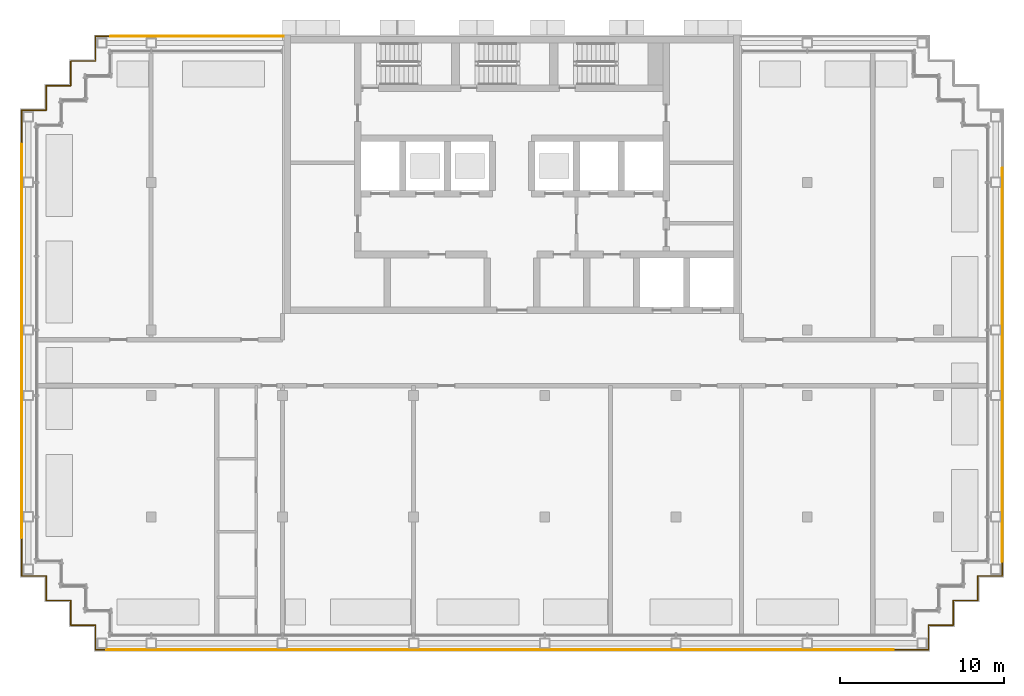
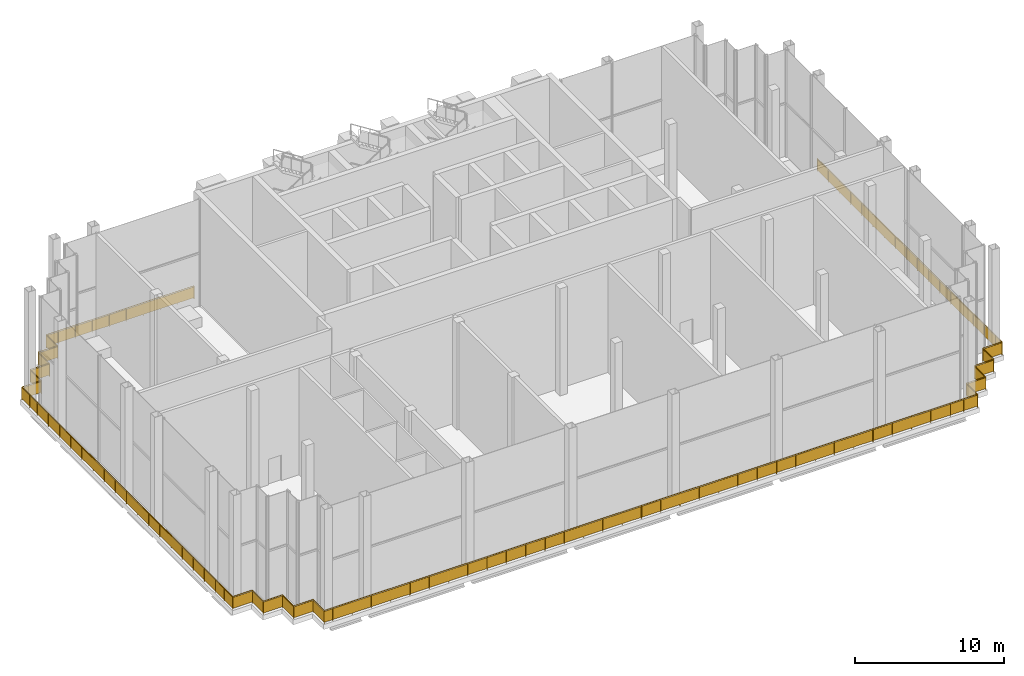
# One storey, part 11 of 15: 12 railings.
"""IFC4 building model written with IfcOpenShell, lengths in metres."""

from ifc_helpers import new_model, si_unit, direction, frame, origin, origin_2d, place, context, subcontext, project, spatial, rectangle, circle, extrude, material, type_object, element, save


model = new_model("IFC4")

# Units and contexts
model_context = context("Model", 3, precision=1e-05, world=origin(), true_north=direction((0.0, 1.0)))
body_context = subcontext(model_context, "Body", "Model", "MODEL_VIEW")
ifc_project = project(units=[si_unit("LENGTHUNIT", "METRE"), si_unit("AREAUNIT", "SQUARE_METRE"), si_unit("VOLUMEUNIT", "CUBIC_METRE"), si_unit("PLANEANGLEUNIT", "RADIAN"), si_unit("MASSUNIT", "GRAM", prefix="KILO")], contexts=[model_context])

# Site, building, storey
site_placement = place(None, origin())
site = spatial("IfcSite", under=ifc_project, at=site_placement, CompositionType="ELEMENT")
building_placement = place(site_placement, origin())
building = spatial("IfcBuilding", under=site, at=building_placement, Name="Vidyagriha Tower", CompositionType="ELEMENT")
storey_placement = place(building_placement, frame((0.0, 0.0, 239.60009765625)))
storey = spatial("IfcBuildingStorey", under=building, at=storey_placement, Name="L63", CompositionType="ELEMENT", Elevation=239.60009765625)

# Railings
ifc_material = material(Name="Steel ASTM A500 Grade C black painted", Category="steel")
railing_type = type_object("IfcRailingType", Name="Gallery guard 1100", PredefinedType="GUARDRAIL", material=ifc_material)
for number, where, name in (
    (1, (29.89990234375, 11.8701171875, 0.0), "Gallery guard L63 3"),
    (2, (29.89990234375, -0.1298828125, 0.0), "Gallery guard L63 4"),
):
    element("IfcRailing", number, at=place(storey_placement, frame(where)), inside=storey, type_object=railing_type, Name=name, PredefinedType="GUARDRAIL", context=body_context, shape_type="SweptSolid", body=[
        extrude(circle(Radius=0.02490234375, at=origin_2d()), frame((0.0, 0.0, 1.0751953125), z_axis=(0.0, -1.0, 0.0), x_axis=(1.0, 0.0, 0.0)), (0.0, 0.0, 1.0), 12.0),
        extrude(circle(Radius=0.02001953125, at=origin_2d()), origin(), (0.0, 0.0, 1.0), 1.050048828125),
        extrude(circle(Radius=0.02001953125, at=origin_2d()), frame((0.0, -1.5, 0.0)), (0.0, 0.0, 1.0), 1.050048828125),
        extrude(circle(Radius=0.02001953125, at=origin_2d()), frame((0.0, -3.0, 0.0)), (0.0, 0.0, 1.0), 1.050048828125),
        extrude(circle(Radius=0.02001953125, at=origin_2d()), frame((0.0, -4.5, 0.0)), (0.0, 0.0, 1.0), 1.050048828125),
        extrude(circle(Radius=0.02001953125, at=origin_2d()), frame((0.0, -6.0, 0.0)), (0.0, 0.0, 1.0), 1.050048828125),
        extrude(circle(Radius=0.02001953125, at=origin_2d()), frame((0.0, -7.5, 0.0)), (0.0, 0.0, 1.0), 1.050048828125),
        extrude(circle(Radius=0.02001953125, at=origin_2d()), frame((0.0, -9.0, 0.0)), (0.0, 0.0, 1.0), 1.050048828125),
        extrude(circle(Radius=0.02001953125, at=origin_2d()), frame((0.0, -10.5, 0.0)), (0.0, 0.0, 1.0), 1.050048828125),
        extrude(circle(Radius=0.02001953125, at=origin_2d()), frame((0.0, -12.0, 0.0)), (0.0, 0.0, 1.0), 1.050048828125),
        extrude(rectangle(XDim=0.010009765625, YDim=0.900146484375, at=origin_2d()), frame((0.0, 0.0, 0.550048828125), z_axis=(0.0, -1.0, 0.0), x_axis=(1.0, 0.0, 0.0)), (0.0, 0.0, 1.0), 12.0),
    ])
railing_1_placement = place(storey_placement, frame((29.89990234375, -12.1298828125, 0.0)))
element("IfcRailing", 3, at=railing_1_placement, inside=storey, type_object=railing_type, Name="Gallery guard L63 5", PredefinedType="GUARDRAIL", context=body_context, shape_type="SweptSolid", body=[
    extrude(circle(Radius=0.02490234375, at=origin_2d()), frame((0.0, 0.0, 1.0751953125), z_axis=(0.0, -1.0, 0.0), x_axis=(1.0, 0.0, 0.0)), (0.0, 0.0, 1.0), 0.8701171875),
    extrude(circle(Radius=0.02490234375, at=origin_2d()), frame((0.0, -0.8701171875, 1.0751953125), z_axis=(-1.0, 0.0, 0.0), x_axis=(0.0, -1.0, 0.0)), (0.0, 0.0, 1.0), 1.5),
    extrude(circle(Radius=0.02490234375, at=origin_2d()), frame((-1.5, -0.8701171875, 1.0751953125), z_axis=(0.0, -1.0, 0.0), x_axis=(1.0, 0.0, 0.0)), (0.0, 0.0, 1.0), 1.5),
    extrude(circle(Radius=0.02490234375, at=origin_2d()), frame((-1.5, -2.3701171875, 1.0751953125), z_axis=(-1.0, 0.0, 0.0), x_axis=(0.0, -1.0, 0.0)), (0.0, 0.0, 1.0), 1.5),
    extrude(circle(Radius=0.02490234375, at=origin_2d()), frame((-3.0, -2.3701171875, 1.0751953125), z_axis=(0.0, -1.0, 0.0), x_axis=(1.0, 0.0, 0.0)), (0.0, 0.0, 1.0), 1.5),
    extrude(circle(Radius=0.02490234375, at=origin_2d()), frame((-3.0, -3.8701171875, 1.0751953125), z_axis=(-1.0, 0.0, 0.0), x_axis=(0.0, -1.0, 0.0)), (0.0, 0.0, 1.0), 1.5),
    extrude(circle(Radius=0.02490234375, at=origin_2d()), frame((-4.5, -3.8701171875, 1.0751953125), z_axis=(0.0, -1.0, 0.0), x_axis=(1.0, 0.0, 0.0)), (0.0, 0.0, 1.0), 1.5),
    extrude(circle(Radius=0.02490234375, at=origin_2d()), frame((-4.5, -5.3701171875, 1.0751953125), z_axis=(-1.0, 0.0, 0.0), x_axis=(0.0, -1.0, 0.0)), (0.0, 0.0, 1.0), 2.1298828125),
    extrude(circle(Radius=0.02001953125, at=origin_2d()), origin(), (0.0, 0.0, 1.0), 1.050048828125),
    extrude(circle(Radius=0.02001953125, at=origin_2d()), frame((0.0, -0.8701171875, 0.0)), (0.0, 0.0, 1.0), 1.050048828125),
    extrude(circle(Radius=0.02001953125, at=origin_2d()), frame((-1.5, -0.8701171875, 0.0)), (0.0, 0.0, 1.0), 1.050048828125),
    extrude(circle(Radius=0.02001953125, at=origin_2d()), frame((-1.5, -2.3701171875, 0.0)), (0.0, 0.0, 1.0), 1.050048828125),
    extrude(circle(Radius=0.02001953125, at=origin_2d()), frame((-3.0, -2.3701171875, 0.0)), (0.0, 0.0, 1.0), 1.050048828125),
    extrude(circle(Radius=0.02001953125, at=origin_2d()), frame((-3.0, -3.8701171875, 0.0)), (0.0, 0.0, 1.0), 1.050048828125),
    extrude(circle(Radius=0.02001953125, at=origin_2d()), frame((-4.5, -3.8701171875, 0.0)), (0.0, 0.0, 1.0), 1.050048828125),
    extrude(circle(Radius=0.02001953125, at=origin_2d()), frame((-4.5, -5.3701171875, 0.0)), (0.0, 0.0, 1.0), 1.050048828125),
    extrude(circle(Radius=0.02001953125, at=origin_2d()), frame((-5.56494140625, -5.3701171875, 0.0)), (0.0, 0.0, 1.0), 1.050048828125),
    extrude(circle(Radius=0.02001953125, at=origin_2d()), frame((-6.6298828125, -5.3701171875, 0.0)), (0.0, 0.0, 1.0), 1.050048828125),
    extrude(rectangle(XDim=0.010009765625, YDim=0.900146484375, at=origin_2d()), frame((0.0, 0.0, 0.550048828125), z_axis=(0.0, -1.0, 0.0), x_axis=(1.0, 0.0, 0.0)), (0.0, 0.0, 1.0), 0.8701171875),
    extrude(rectangle(XDim=0.010009765625, YDim=0.900146484375, at=origin_2d()), frame((0.0, -0.8701171875, 0.550048828125), z_axis=(-1.0, 0.0, 0.0), x_axis=(0.0, -1.0, 0.0)), (0.0, 0.0, 1.0), 1.5),
    extrude(rectangle(XDim=0.010009765625, YDim=0.900146484375, at=origin_2d()), frame((-1.5, -0.8701171875, 0.550048828125), z_axis=(0.0, -1.0, 0.0), x_axis=(1.0, 0.0, 0.0)), (0.0, 0.0, 1.0), 1.5),
    extrude(rectangle(XDim=0.010009765625, YDim=0.900146484375, at=origin_2d()), frame((-1.5, -2.3701171875, 0.550048828125), z_axis=(-1.0, 0.0, 0.0), x_axis=(0.0, -1.0, 0.0)), (0.0, 0.0, 1.0), 1.5),
    extrude(rectangle(XDim=0.010009765625, YDim=0.900146484375, at=origin_2d()), frame((-3.0, -2.3701171875, 0.550048828125), z_axis=(0.0, -1.0, 0.0), x_axis=(1.0, 0.0, 0.0)), (0.0, 0.0, 1.0), 1.5),
    extrude(rectangle(XDim=0.010009765625, YDim=0.900146484375, at=origin_2d()), frame((-3.0, -3.8701171875, 0.550048828125), z_axis=(-1.0, 0.0, 0.0), x_axis=(0.0, -1.0, 0.0)), (0.0, 0.0, 1.0), 1.5),
    extrude(rectangle(XDim=0.010009765625, YDim=0.900146484375, at=origin_2d()), frame((-4.5, -3.8701171875, 0.550048828125), z_axis=(0.0, -1.0, 0.0), x_axis=(1.0, 0.0, 0.0)), (0.0, 0.0, 1.0), 1.5),
    extrude(rectangle(XDim=0.010009765625, YDim=0.900146484375, at=origin_2d()), frame((-4.5, -5.3701171875, 0.550048828125), z_axis=(-1.0, 0.0, 0.0), x_axis=(0.0, -1.0, 0.0)), (0.0, 0.0, 1.0), 2.1298828125),
])
for number, where, name in (
    (4, (23.27001953125, -17.5, 0.0), "Gallery guard L63 6"),
    (5, (11.27001953125, -17.5, 0.0), "Gallery guard L63 7"),
    (6, (-0.72998046875, -17.5, 0.0), "Gallery guard L63 8"),
    (7, (-12.72998046875, -17.5, 0.0), "Gallery guard L63 9"),
):
    element("IfcRailing", number, at=place(storey_placement, frame(where)), inside=storey, type_object=railing_type, Name=name, PredefinedType="GUARDRAIL", context=body_context, shape_type="SweptSolid", body=[
        extrude(circle(Radius=0.02490234375, at=origin_2d()), frame((0.0, 0.0, 1.0751953125), z_axis=(-1.0, 0.0, 0.0), x_axis=(0.0, -1.0, 0.0)), (0.0, 0.0, 1.0), 12.0),
        extrude(circle(Radius=0.02001953125, at=origin_2d()), origin(), (0.0, 0.0, 1.0), 1.050048828125),
        extrude(circle(Radius=0.02001953125, at=origin_2d()), frame((-1.5, 0.0, 0.0)), (0.0, 0.0, 1.0), 1.050048828125),
        extrude(circle(Radius=0.02001953125, at=origin_2d()), frame((-3.0, 0.0, 0.0)), (0.0, 0.0, 1.0), 1.050048828125),
        extrude(circle(Radius=0.02001953125, at=origin_2d()), frame((-4.5, 0.0, 0.0)), (0.0, 0.0, 1.0), 1.050048828125),
        extrude(circle(Radius=0.02001953125, at=origin_2d()), frame((-6.0, 0.0, 0.0)), (0.0, 0.0, 1.0), 1.050048828125),
        extrude(circle(Radius=0.02001953125, at=origin_2d()), frame((-7.5, 0.0, 0.0)), (0.0, 0.0, 1.0), 1.050048828125),
        extrude(circle(Radius=0.02001953125, at=origin_2d()), frame((-9.0, 0.0, 0.0)), (0.0, 0.0, 1.0), 1.050048828125),
        extrude(circle(Radius=0.02001953125, at=origin_2d()), frame((-10.5, 0.0, 0.0)), (0.0, 0.0, 1.0), 1.050048828125),
        extrude(circle(Radius=0.02001953125, at=origin_2d()), frame((-12.0, 0.0, 0.0)), (0.0, 0.0, 1.0), 1.050048828125),
        extrude(rectangle(XDim=0.010009765625, YDim=0.900146484375, at=origin_2d()), frame((0.0, 0.0, 0.550048828125), z_axis=(-1.0, 0.0, 0.0), x_axis=(0.0, -1.0, 0.0)), (0.0, 0.0, 1.0), 12.0),
    ])
railing_2_placement = place(storey_placement, frame((-24.72998046875, -17.5, 0.0)))
element("IfcRailing", 8, at=railing_2_placement, inside=storey, type_object=railing_type, Name="Gallery guard L63 10", PredefinedType="GUARDRAIL", context=body_context, shape_type="SweptSolid", body=[
    extrude(circle(Radius=0.02490234375, at=origin_2d()), frame((0.0, 0.0, 1.0751953125), z_axis=(-1.0, 0.0, 0.0), x_axis=(0.0, -1.0, 0.0)), (0.0, 0.0, 1.0), 0.669921875),
    extrude(circle(Radius=0.02490234375, at=origin_2d()), frame((-0.669921875, 0.0, 1.0751953125), z_axis=(0.0, 1.0, 0.0), x_axis=(-1.0, 0.0, 0.0)), (0.0, 0.0, 1.0), 1.5),
    extrude(circle(Radius=0.02490234375, at=origin_2d()), frame((-0.669921875, 1.5, 1.0751953125), z_axis=(-1.0, 0.0, 0.0), x_axis=(0.0, -1.0, 0.0)), (0.0, 0.0, 1.0), 1.5),
    extrude(circle(Radius=0.02490234375, at=origin_2d()), frame((-2.169921875, 1.5, 1.0751953125), z_axis=(0.0, 1.0, 0.0), x_axis=(-1.0, 0.0, 0.0)), (0.0, 0.0, 1.0), 1.5),
    extrude(circle(Radius=0.02490234375, at=origin_2d()), frame((-2.169921875, 3.0, 1.0751953125), z_axis=(-1.0, 0.0, 0.0), x_axis=(0.0, -1.0, 0.0)), (0.0, 0.0, 1.0), 1.5),
    extrude(circle(Radius=0.02490234375, at=origin_2d()), frame((-3.669921875, 3.0, 1.0751953125), z_axis=(0.0, 1.0, 0.0), x_axis=(-1.0, 0.0, 0.0)), (0.0, 0.0, 1.0), 1.5),
    extrude(circle(Radius=0.02490234375, at=origin_2d()), frame((-3.669921875, 4.5, 1.0751953125), z_axis=(-1.0, 0.0, 0.0), x_axis=(0.0, -1.0, 0.0)), (0.0, 0.0, 1.0), 1.5),
    extrude(circle(Radius=0.02490234375, at=origin_2d()), frame((-5.169921875, 4.5, 1.0751953125), z_axis=(0.0, 1.0, 0.0), x_axis=(-1.0, 0.0, 0.0)), (0.0, 0.0, 1.0), 2.330078125),
    extrude(circle(Radius=0.02001953125, at=origin_2d()), origin(), (0.0, 0.0, 1.0), 1.050048828125),
    extrude(circle(Radius=0.02001953125, at=origin_2d()), frame((-0.669921875, 0.0, 0.0)), (0.0, 0.0, 1.0), 1.050048828125),
    extrude(circle(Radius=0.02001953125, at=origin_2d()), frame((-0.669921875, 1.5, 0.0)), (0.0, 0.0, 1.0), 1.050048828125),
    extrude(circle(Radius=0.02001953125, at=origin_2d()), frame((-2.169921875, 1.5, 0.0)), (0.0, 0.0, 1.0), 1.050048828125),
    extrude(circle(Radius=0.02001953125, at=origin_2d()), frame((-2.169921875, 3.0, 0.0)), (0.0, 0.0, 1.0), 1.050048828125),
    extrude(circle(Radius=0.02001953125, at=origin_2d()), frame((-3.669921875, 3.0, 0.0)), (0.0, 0.0, 1.0), 1.050048828125),
    extrude(circle(Radius=0.02001953125, at=origin_2d()), frame((-3.669921875, 4.5, 0.0)), (0.0, 0.0, 1.0), 1.050048828125),
    extrude(circle(Radius=0.02001953125, at=origin_2d()), frame((-5.169921875, 4.5, 0.0)), (0.0, 0.0, 1.0), 1.050048828125),
    extrude(circle(Radius=0.02001953125, at=origin_2d()), frame((-5.169921875, 5.6650390625, 0.0)), (0.0, 0.0, 1.0), 1.050048828125),
    extrude(circle(Radius=0.02001953125, at=origin_2d()), frame((-5.169921875, 6.830078125, 0.0)), (0.0, 0.0, 1.0), 1.050048828125),
    extrude(rectangle(XDim=0.010009765625, YDim=0.900146484375, at=origin_2d()), frame((0.0, 0.0, 0.550048828125), z_axis=(-1.0, 0.0, 0.0), x_axis=(0.0, -1.0, 0.0)), (0.0, 0.0, 1.0), 0.669921875),
    extrude(rectangle(XDim=0.010009765625, YDim=0.900146484375, at=origin_2d()), frame((-0.669921875, 0.0, 0.550048828125), z_axis=(0.0, 1.0, 0.0), x_axis=(-1.0, 0.0, 0.0)), (0.0, 0.0, 1.0), 1.5),
    extrude(rectangle(XDim=0.010009765625, YDim=0.900146484375, at=origin_2d()), frame((-0.669921875, 1.5, 0.550048828125), z_axis=(-1.0, 0.0, 0.0), x_axis=(0.0, -1.0, 0.0)), (0.0, 0.0, 1.0), 1.5),
    extrude(rectangle(XDim=0.010009765625, YDim=0.900146484375, at=origin_2d()), frame((-2.169921875, 1.5, 0.550048828125), z_axis=(0.0, 1.0, 0.0), x_axis=(-1.0, 0.0, 0.0)), (0.0, 0.0, 1.0), 1.5),
    extrude(rectangle(XDim=0.010009765625, YDim=0.900146484375, at=origin_2d()), frame((-2.169921875, 3.0, 0.550048828125), z_axis=(-1.0, 0.0, 0.0), x_axis=(0.0, -1.0, 0.0)), (0.0, 0.0, 1.0), 1.5),
    extrude(rectangle(XDim=0.010009765625, YDim=0.900146484375, at=origin_2d()), frame((-3.669921875, 3.0, 0.550048828125), z_axis=(0.0, 1.0, 0.0), x_axis=(-1.0, 0.0, 0.0)), (0.0, 0.0, 1.0), 1.5),
    extrude(rectangle(XDim=0.010009765625, YDim=0.900146484375, at=origin_2d()), frame((-3.669921875, 4.5, 0.550048828125), z_axis=(-1.0, 0.0, 0.0), x_axis=(0.0, -1.0, 0.0)), (0.0, 0.0, 1.0), 1.5),
    extrude(rectangle(XDim=0.010009765625, YDim=0.900146484375, at=origin_2d()), frame((-5.169921875, 4.5, 0.550048828125), z_axis=(0.0, 1.0, 0.0), x_axis=(-1.0, 0.0, 0.0)), (0.0, 0.0, 1.0), 2.330078125),
])
for number, where, name in (
    (9, (-29.89990234375, -10.669921875, 0.0), "Gallery guard L63 11"),
    (10, (-29.89990234375, 1.330078125, 0.0), "Gallery guard L63 12"),
):
    element("IfcRailing", number, at=place(storey_placement, frame(where)), inside=storey, type_object=railing_type, Name=name, PredefinedType="GUARDRAIL", context=body_context, shape_type="SweptSolid", body=[
        extrude(circle(Radius=0.02490234375, at=origin_2d()), frame((0.0, 0.0, 1.0751953125), z_axis=(0.0, 1.0, 0.0), x_axis=(-1.0, 0.0, 0.0)), (0.0, 0.0, 1.0), 12.0),
        extrude(circle(Radius=0.02001953125, at=origin_2d()), origin(), (0.0, 0.0, 1.0), 1.050048828125),
        extrude(circle(Radius=0.02001953125, at=origin_2d()), frame((0.0, 1.5, 0.0)), (0.0, 0.0, 1.0), 1.050048828125),
        extrude(circle(Radius=0.02001953125, at=origin_2d()), frame((0.0, 3.0, 0.0)), (0.0, 0.0, 1.0), 1.050048828125),
        extrude(circle(Radius=0.02001953125, at=origin_2d()), frame((0.0, 4.5, 0.0)), (0.0, 0.0, 1.0), 1.050048828125),
        extrude(circle(Radius=0.02001953125, at=origin_2d()), frame((0.0, 6.0, 0.0)), (0.0, 0.0, 1.0), 1.050048828125),
        extrude(circle(Radius=0.02001953125, at=origin_2d()), frame((0.0, 7.5, 0.0)), (0.0, 0.0, 1.0), 1.050048828125),
        extrude(circle(Radius=0.02001953125, at=origin_2d()), frame((0.0, 9.0, 0.0)), (0.0, 0.0, 1.0), 1.050048828125),
        extrude(circle(Radius=0.02001953125, at=origin_2d()), frame((0.0, 10.5, 0.0)), (0.0, 0.0, 1.0), 1.050048828125),
        extrude(circle(Radius=0.02001953125, at=origin_2d()), frame((0.0, 12.0, 0.0)), (0.0, 0.0, 1.0), 1.050048828125),
        extrude(rectangle(XDim=0.010009765625, YDim=0.900146484375, at=origin_2d()), frame((0.0, 0.0, 0.550048828125), z_axis=(0.0, 1.0, 0.0), x_axis=(-1.0, 0.0, 0.0)), (0.0, 0.0, 1.0), 12.0),
    ])
railing_3_placement = place(storey_placement, frame((-29.89990234375, 13.330078125, 0.0)))
element("IfcRailing", 11, at=railing_3_placement, inside=storey, type_object=railing_type, Name="Gallery guard L63 13", PredefinedType="GUARDRAIL", context=body_context, shape_type="SweptSolid", body=[
    extrude(circle(Radius=0.02490234375, at=origin_2d()), frame((0.0, 0.0, 1.0751953125), z_axis=(0.0, 1.0, 0.0), x_axis=(-1.0, 0.0, 0.0)), (0.0, 0.0, 1.0), 2.06982421875),
    extrude(circle(Radius=0.02490234375, at=origin_2d()), frame((0.0, 2.06982421875, 1.0751953125), z_axis=(1.0, 0.0, 0.0), x_axis=(0.0, 1.0, 0.0)), (0.0, 0.0, 1.0), 1.5),
    extrude(circle(Radius=0.02490234375, at=origin_2d()), frame((1.5, 2.06982421875, 1.0751953125), z_axis=(0.0, 1.0, 0.0), x_axis=(-1.0, 0.0, 0.0)), (0.0, 0.0, 1.0), 1.5),
    extrude(circle(Radius=0.02490234375, at=origin_2d()), frame((1.5, 3.56982421875, 1.0751953125), z_axis=(1.0, 0.0, 0.0), x_axis=(0.0, 1.0, 0.0)), (0.0, 0.0, 1.0), 1.5),
    extrude(circle(Radius=0.02490234375, at=origin_2d()), frame((3.0, 3.56982421875, 1.0751953125), z_axis=(0.0, 1.0, 0.0), x_axis=(-1.0, 0.0, 0.0)), (0.0, 0.0, 1.0), 1.5),
    extrude(circle(Radius=0.02490234375, at=origin_2d()), frame((3.0, 5.06982421875, 1.0751953125), z_axis=(1.0, 0.0, 0.0), x_axis=(0.0, 1.0, 0.0)), (0.0, 0.0, 1.0), 1.5),
    extrude(circle(Radius=0.02490234375, at=origin_2d()), frame((4.5, 5.06982421875, 1.0751953125), z_axis=(0.0, 1.0, 0.0), x_axis=(-1.0, 0.0, 0.0)), (0.0, 0.0, 1.0), 1.5),
    extrude(circle(Radius=0.02490234375, at=origin_2d()), frame((4.5, 6.56982421875, 1.0751953125), z_axis=(1.0, 0.0, 0.0), x_axis=(0.0, 1.0, 0.0)), (0.0, 0.0, 1.0), 0.929931640625),
    extrude(circle(Radius=0.02001953125, at=origin_2d()), origin(), (0.0, 0.0, 1.0), 1.050048828125),
    extrude(circle(Radius=0.02001953125, at=origin_2d()), frame((0.0, 1.034912109375, 0.0)), (0.0, 0.0, 1.0), 1.050048828125),
    extrude(circle(Radius=0.02001953125, at=origin_2d()), frame((0.0, 2.06982421875, 0.0)), (0.0, 0.0, 1.0), 1.050048828125),
    extrude(circle(Radius=0.02001953125, at=origin_2d()), frame((1.5, 2.06982421875, 0.0)), (0.0, 0.0, 1.0), 1.050048828125),
    extrude(circle(Radius=0.02001953125, at=origin_2d()), frame((1.5, 3.56982421875, 0.0)), (0.0, 0.0, 1.0), 1.050048828125),
    extrude(circle(Radius=0.02001953125, at=origin_2d()), frame((3.0, 3.56982421875, 0.0)), (0.0, 0.0, 1.0), 1.050048828125),
    extrude(circle(Radius=0.02001953125, at=origin_2d()), frame((3.0, 5.06982421875, 0.0)), (0.0, 0.0, 1.0), 1.050048828125),
    extrude(circle(Radius=0.02001953125, at=origin_2d()), frame((4.5, 5.06982421875, 0.0)), (0.0, 0.0, 1.0), 1.050048828125),
    extrude(circle(Radius=0.02001953125, at=origin_2d()), frame((4.5, 6.56982421875, 0.0)), (0.0, 0.0, 1.0), 1.050048828125),
    extrude(circle(Radius=0.02001953125, at=origin_2d()), frame((5.429931640625, 6.56982421875, 0.0)), (0.0, 0.0, 1.0), 1.050048828125),
    extrude(rectangle(XDim=0.010009765625, YDim=0.900146484375, at=origin_2d()), frame((0.0, 0.0, 0.550048828125), z_axis=(0.0, 1.0, 0.0), x_axis=(-1.0, 0.0, 0.0)), (0.0, 0.0, 1.0), 2.06982421875),
    extrude(rectangle(XDim=0.010009765625, YDim=0.900146484375, at=origin_2d()), frame((0.0, 2.06982421875, 0.550048828125), z_axis=(1.0, 0.0, 0.0), x_axis=(0.0, 1.0, 0.0)), (0.0, 0.0, 1.0), 1.5),
    extrude(rectangle(XDim=0.010009765625, YDim=0.900146484375, at=origin_2d()), frame((1.5, 2.06982421875, 0.550048828125), z_axis=(0.0, 1.0, 0.0), x_axis=(-1.0, 0.0, 0.0)), (0.0, 0.0, 1.0), 1.5),
    extrude(rectangle(XDim=0.010009765625, YDim=0.900146484375, at=origin_2d()), frame((1.5, 3.56982421875, 0.550048828125), z_axis=(1.0, 0.0, 0.0), x_axis=(0.0, 1.0, 0.0)), (0.0, 0.0, 1.0), 1.5),
    extrude(rectangle(XDim=0.010009765625, YDim=0.900146484375, at=origin_2d()), frame((3.0, 3.56982421875, 0.550048828125), z_axis=(0.0, 1.0, 0.0), x_axis=(-1.0, 0.0, 0.0)), (0.0, 0.0, 1.0), 1.5),
    extrude(rectangle(XDim=0.010009765625, YDim=0.900146484375, at=origin_2d()), frame((3.0, 5.06982421875, 0.550048828125), z_axis=(1.0, 0.0, 0.0), x_axis=(0.0, 1.0, 0.0)), (0.0, 0.0, 1.0), 1.5),
    extrude(rectangle(XDim=0.010009765625, YDim=0.900146484375, at=origin_2d()), frame((4.5, 5.06982421875, 0.550048828125), z_axis=(0.0, 1.0, 0.0), x_axis=(-1.0, 0.0, 0.0)), (0.0, 0.0, 1.0), 1.5),
    extrude(rectangle(XDim=0.010009765625, YDim=0.900146484375, at=origin_2d()), frame((4.5, 6.56982421875, 0.550048828125), z_axis=(1.0, 0.0, 0.0), x_axis=(0.0, 1.0, 0.0)), (0.0, 0.0, 1.0), 0.929931640625),
])
railing_4_placement = place(storey_placement, frame((-24.469970703125, 19.89990234375, 0.0)))
element("IfcRailing", 12, at=railing_4_placement, inside=storey, type_object=railing_type, Name="Gallery guard L63 14", PredefinedType="GUARDRAIL", context=body_context, shape_type="SweptSolid", body=[
    extrude(circle(Radius=0.02490234375, at=origin_2d()), frame((0.0, 0.0, 1.0751953125), z_axis=(1.0, 0.0, 0.0), x_axis=(0.0, 1.0, 0.0)), (0.0, 0.0, 1.0), 10.5400390625),
    extrude(circle(Radius=0.02001953125, at=origin_2d()), origin(), (0.0, 0.0, 1.0), 1.050048828125),
    extrude(circle(Radius=0.02001953125, at=origin_2d()), frame((1.3173828125, 0.0, 0.0)), (0.0, 0.0, 1.0), 1.050048828125),
    extrude(circle(Radius=0.02001953125, at=origin_2d()), frame((2.635009765625, 0.0, 0.0)), (0.0, 0.0, 1.0), 1.050048828125),
    extrude(circle(Radius=0.02001953125, at=origin_2d()), frame((3.95263671875, 0.0, 0.0)), (0.0, 0.0, 1.0), 1.050048828125),
    extrude(circle(Radius=0.02001953125, at=origin_2d()), frame((5.27001953125, 0.0, 0.0)), (0.0, 0.0, 1.0), 1.050048828125),
    extrude(circle(Radius=0.02001953125, at=origin_2d()), frame((6.58740234375, 0.0, 0.0)), (0.0, 0.0, 1.0), 1.050048828125),
    extrude(circle(Radius=0.02001953125, at=origin_2d()), frame((7.905029296875, 0.0, 0.0)), (0.0, 0.0, 1.0), 1.050048828125),
    extrude(circle(Radius=0.02001953125, at=origin_2d()), frame((9.22265625, 0.0, 0.0)), (0.0, 0.0, 1.0), 1.050048828125),
    extrude(circle(Radius=0.02001953125, at=origin_2d()), frame((10.5400390625, 0.0, 0.0)), (0.0, 0.0, 1.0), 1.050048828125),
    extrude(rectangle(XDim=0.010009765625, YDim=0.900146484375, at=origin_2d()), frame((0.0, 0.0, 0.550048828125), z_axis=(1.0, 0.0, 0.0), x_axis=(0.0, 1.0, 0.0)), (0.0, 0.0, 1.0), 10.5400390625),
])

save(model, "model.ifc")
